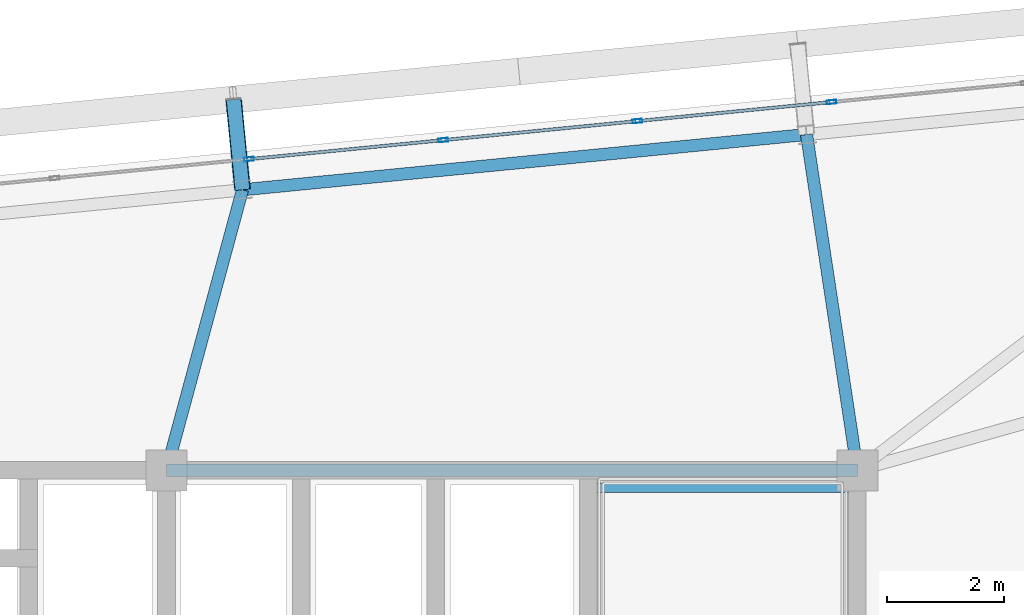
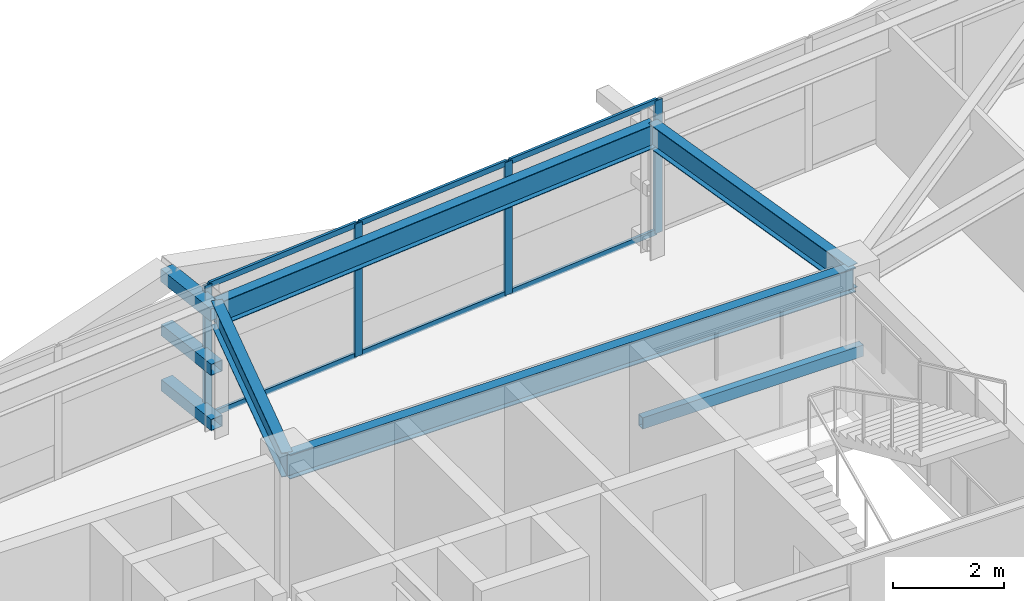
# One storey, part 31 of 53: 13 members, 5 beams, 1 element without a shape of its own.
"""IFC4 building model written with IfcOpenShell, lengths in metres."""

from ifc_helpers import new_model, si_unit, direction, frame, origin, origin_2d, place, context, subcontext, project, spatial, hollow_rectangle, i_section, extrude, source, transform, mapped, material, layer, layer_set, material_profile, profile_set, type_object, element, aggregate, save


model = new_model("IFC4")

# Units and contexts
model_context = context("Model", 3, precision=1e-05, world=origin(), true_north=direction((0.0, 1.0)))
body_context = subcontext(model_context, "Body", "Model", "MODEL_VIEW")
ifc_project = project(units=[si_unit("LENGTHUNIT", "METRE"), si_unit("AREAUNIT", "SQUARE_METRE"), si_unit("VOLUMEUNIT", "CUBIC_METRE"), si_unit("PLANEANGLEUNIT", "RADIAN"), si_unit("MASSUNIT", "GRAM", prefix="KILO")], contexts=[model_context])

# Site, building, storey
site_placement = place(None, origin())
site = spatial("IfcSite", under=ifc_project, at=site_placement, CompositionType="ELEMENT")
building_placement = place(site_placement, origin())
building = spatial("IfcBuilding", under=site, at=building_placement, Name="Taldren Reach Tower", CompositionType="ELEMENT")
storey_placement = place(building_placement, frame((0.0, 0.0, 68.25)))
storey = spatial("IfcBuildingStorey", under=building, at=storey_placement, Name="L20", CompositionType="ELEMENT", Elevation=68.25)

# Beam
ifc_material_1 = material(Name="Steel Gr 350 (350PLUS)", Category="steel")
ifc_material_profile_1 = material_profile(ifc_material_1, i_section(OverallWidth=0.208984375, OverallDepth=0.532958984375, WebThickness=0.01025390625, FlangeThickness=0.015625, at=origin_2d()), Name="530UB92.4")
ifc_profile_set_1 = profile_set([ifc_material_profile_1], Name="Steel Gr 350 (350PLUS)")
beam_type_1 = type_object("IfcBeamType", Name="BM-UB530A", PredefinedType="BEAM", material=ifc_profile_set_1)
shared_shape_1 = source(origin(), body_context, "Body", "SweptSolid", [
    extrude(i_section(OverallWidth=0.208984375, OverallDepth=0.532958984375, WebThickness=0.01025390625, FlangeThickness=0.015625, at=origin_2d()), origin(), (0.0, 0.0, 1.0), 11.800048828125),
])
beam_1_placement = place(storey_placement, frame((39.199951171875, 32.0, 2.66357421875), z_axis=(1.0, 0.0, 0.0), x_axis=(0.0, 1.0, 0.0)))
element("IfcBeam", 1, at=beam_1_placement, inside=storey, type_object=beam_type_1, Name="Core-spine girder L20-SP06", PredefinedType="BEAM", context=body_context, shape_type="MappedRepresentation", body=[
    mapped(shared_shape_1, transform((0.0, 0.0, 0.0), scale=1.0)),
])

# Members
ifc_material_2 = material(Name="Steel Gr 450 (C450L0)", Category="steel")
ifc_material_profile_2 = material_profile(ifc_material_2, hollow_rectangle(XDim=0.27490234375, YDim=0.27490234375, WallThickness=0.00927734375, at=origin_2d()), Name="275x275x9.3SHS")
ifc_profile_set_2 = profile_set([ifc_material_profile_2], Name="Steel Gr 450 (C450L0)")
member_type_1 = type_object("IfcMemberType", Name="MB-TIE273", PredefinedType="STRUT", material=ifc_profile_set_2)
shared_shape_2 = source(origin(), body_context, "Body", "SweptSolid", [
    extrude(hollow_rectangle(XDim=0.27490234375, YDim=0.27490234375, WallThickness=0.00927734375, at=origin_2d()), origin(), (0.0, 0.0, 1.0), 1.5498046875),
])
member_1_placement = place(storey_placement, frame((40.498291015625, 36.790771484375, 2.64990234375), z_axis=(-0.097663201064, 0.995219523099, 0.0), x_axis=(-0.995219523099, -0.097663201064, 0.0)))
element("IfcMember", 2, at=member_1_placement, inside=storey, type_object=member_type_1, Name="Exoskeleton diaphragm tie strut B2-N4 L20", PredefinedType="STRUT", context=body_context, shape_type="MappedRepresentation", body=[
    mapped(shared_shape_2, transform((0.0, 0.0, 0.0), scale=1.0)),
])
ifc_material_3 = material(Name="Steel Gr 350 (C350L0)", Category="steel")
ifc_material_profile_3 = material_profile(ifc_material_3, hollow_rectangle(XDim=0.25, YDim=0.25, WallThickness=0.010009765625, at=origin_2d()), Name="250x250x10.0SHS")
ifc_profile_set_3 = profile_set([ifc_material_profile_3], Name="Steel Gr 350 (C350L0)")
member_type_2 = type_object("IfcMemberType", Name="MB-POST250", PredefinedType="POST", material=ifc_profile_set_3)
shared_shape_3 = source(origin(), body_context, "Body", "SweptSolid", [
    extrude(hollow_rectangle(XDim=0.25, YDim=0.25, WallThickness=0.010009765625, at=origin_2d()), origin(), (0.0, 0.0, 1.0), 1.5498046875),
])
for number, where, z_axis, x_axis, name in (
    (3, (40.498291015625, 36.790771484375, 0.219970703125), (-0.097663201064, 0.995219523099, 0.0), (-0.995219523099, -0.097663201064, 0.0), "Exoskeleton base diaphragm tie strut B2-N4 L20"),
    (4, (40.498291015625, 36.790771484375, 1.43505859375), (-0.097663201064, 0.995219523099, 0.0), (-0.995219523099, -0.097663201064, 0.0), "Exoskeleton mid-tier diaphragm tie B2-N4 L20"),
):
    element("IfcMember", number, at=place(storey_placement, frame(where, z_axis=z_axis, x_axis=x_axis)), inside=storey, type_object=member_type_2, Name=name, PredefinedType="POST", context=body_context, shape_type="MappedRepresentation", body=[
        mapped(shared_shape_3, transform((0.0, 0.0, 0.0), scale=1.0)),
    ])

# Beams
ifc_material_profile_4 = material_profile(ifc_material_1, i_section(OverallWidth=0.208984375, OverallDepth=0.528076171875, WebThickness=0.009521484375, FlangeThickness=0.01318359375, at=origin_2d()), Name="530UB82.0")
ifc_profile_set_4 = profile_set([ifc_material_profile_4], Name="Steel Gr 350 (350PLUS)")
beam_type_2 = type_object("IfcBeamType", Name="SP-UB530B", PredefinedType="SPANDREL", material=ifc_profile_set_4)
shared_shape_4 = source(origin(), body_context, "Body", "SweptSolid", [
    extrude(i_section(OverallWidth=0.208984375, OverallDepth=0.528076171875, WebThickness=0.009521484375, FlangeThickness=0.01318359375, at=origin_2d()), origin(), (0.0, 0.0, 1.0), 9.679931640625),
])
beam_2_placement = place(storey_placement, frame((50.132080078125, 37.7353515625, 2.666015625), z_axis=(-0.995227612658, -0.097580730699, 0.0), x_axis=(0.097580730699, -0.995227612658, 0.0)))
element("IfcBeam", 5, at=beam_2_placement, inside=storey, type_object=beam_type_2, Name="Perimeter spandrel B2 N5-N4 L20", PredefinedType="SPANDREL", context=body_context, shape_type="MappedRepresentation", body=[
    mapped(shared_shape_4, transform((0.0, 0.0, 0.0), scale=1.0)),
])
shared_shape_5 = source(origin(), body_context, "Body", "SweptSolid", [
    extrude(i_section(OverallWidth=0.208984375, OverallDepth=0.532958984375, WebThickness=0.01025390625, FlangeThickness=0.015625, at=origin_2d()), origin(), (0.0, 0.0, 1.0), 5.800537109375),
])
beam_3_placement = place(storey_placement, frame((51.0, 32.0, 2.66357421875), z_axis=(-0.149624592867, 0.988742879221, 0.0), x_axis=(-0.988742879221, -0.149624592867, 0.0)))
element("IfcBeam", 6, at=beam_3_placement, inside=storey, type_object=beam_type_1, Name="Primary floor girder B2-N5 L20", PredefinedType="BEAM", context=body_context, shape_type="MappedRepresentation", body=[
    mapped(shared_shape_5, transform((0.0, 0.0, 0.0), scale=1.0)),
])
shared_shape_6 = source(origin(), body_context, "Body", "SweptSolid", [
    extrude(i_section(OverallWidth=0.208984375, OverallDepth=0.532958984375, WebThickness=0.01025390625, FlangeThickness=0.015625, at=origin_2d()), origin(), (0.0, 0.0, 1.0), 4.963623046875),
])
beam_4_placement = place(storey_placement, frame((39.199951171875, 32.0, 2.66357421875), z_axis=(0.261572995851, 0.965183696423, 0.0), x_axis=(-0.965183696423, 0.261572995851, 0.0)))
element("IfcBeam", 7, at=beam_4_placement, inside=storey, type_object=beam_type_1, Name="Primary floor girder B2-N4 L20", PredefinedType="BEAM", context=body_context, shape_type="MappedRepresentation", body=[
    mapped(shared_shape_6, transform((0.0, 0.0, 0.0), scale=1.0)),
])

# Curtain wall, members
ifc_material_4 = material(Name="Aluminium and Low-E Glass Unitised System", Category="aluminium")
ifc_layer = layer(ifc_material_4, 0.159912109375)
ifc_layer_set = layer_set([ifc_layer], Name="Aluminium and Low-E Glass Unitised System")
curtain_wall_type = type_object("IfcCurtainWallType", Name="CW-SYS-3", PredefinedType="NOTDEFINED", material=ifc_layer_set)
curtain_wall_placement = place(storey_placement, origin())
curtain_wall = element("IfcCurtainWall", 8, at=curtain_wall_placement, inside=storey, type_object=curtain_wall_type, Name="Unitised curtain wall CW-L20-N", PredefinedType="NOTDEFINED")
ifc_material_5 = material(Name="Anodised Aluminium 6063-T6", Category="aluminium")
ifc_material_profile_5 = material_profile(ifc_material_5, hollow_rectangle(XDim=0.06494140625, YDim=0.1650390625, WallThickness=0.00390625, at=origin_2d()), Name="ALU-165x65x4RHS")
ifc_profile_set_5 = profile_set([ifc_material_profile_5], Name="Anodised Aluminium 6063-T6")
member_type_3 = type_object("IfcMemberType", Name="CW-MUL-165", PredefinedType="MULLION", material=ifc_profile_set_5)
shared_shape_7 = source(origin(), body_context, "Body", "SweptSolid", [
    extrude(hollow_rectangle(XDim=0.06494140625, YDim=0.1650390625, WallThickness=0.00390625, at=origin_2d()), origin(), (0.0, 0.0, 1.0), 2.929931640625),
])
member_2_placement = place(storey_placement, frame((50.56005859375, 38.289794921875, 0.0), z_axis=(0.0, 0.0, 1.0), x_axis=(0.097582999046, -0.995227390247, 0.0)))
member_2 = element("IfcMember", 9, at=member_2_placement, type_object=member_type_3, Name="CW-3 mullion 4", PredefinedType="MULLION", context=body_context, shape_type="MappedRepresentation", body=[
    mapped(shared_shape_7, transform((0.0, 0.0, 0.0), scale=1.0)),
])
member_3_placement = place(storey_placement, frame((47.242431640625, 37.96435546875, 0.0), z_axis=(0.0, 0.0, 1.0), x_axis=(0.097582999046, -0.995227390247, 0.0)))
member_3 = element("IfcMember", 10, at=member_3_placement, type_object=member_type_3, Name="CW-3 mullion 5", PredefinedType="MULLION", context=body_context, shape_type="MappedRepresentation", body=[
    mapped(shared_shape_7, transform((0.0, 0.0, 0.0), scale=1.0)),
])
member_4_placement = place(storey_placement, frame((43.925048828125, 37.63916015625, 0.0), z_axis=(0.0, 0.0, 1.0), x_axis=(0.097582999046, -0.995227390247, 0.0)))
member_4 = element("IfcMember", 11, at=member_4_placement, type_object=member_type_3, Name="CW-3 mullion 6", PredefinedType="MULLION", context=body_context, shape_type="MappedRepresentation", body=[
    mapped(shared_shape_7, transform((0.0, 0.0, 0.0), scale=1.0)),
])
member_5_placement = place(storey_placement, frame((40.607666015625, 37.31396484375, 0.0), z_axis=(0.0, 0.0, 1.0), x_axis=(0.097582999046, -0.995227390247, 0.0)))
member_5 = element("IfcMember", 12, at=member_5_placement, type_object=member_type_3, Name="CW-3 mullion 7", PredefinedType="MULLION", context=body_context, shape_type="MappedRepresentation", body=[
    mapped(shared_shape_7, transform((0.0, 0.0, 0.0), scale=1.0)),
])
ifc_material_profile_6 = material_profile(ifc_material_5, hollow_rectangle(XDim=0.054931640625, YDim=0.1201171875, WallThickness=0.0029296875, at=origin_2d()), Name="ALU-120x55x3RHS")
ifc_profile_set_6 = profile_set([ifc_material_profile_6], Name="Anodised Aluminium 6063-T6")
member_type_4 = type_object("IfcMemberType", Name="CW-TRN-135", PredefinedType="USERDEFINED", material=ifc_profile_set_6)
shared_shape_8 = source(origin(), body_context, "Body", "SweptSolid", [
    extrude(hollow_rectangle(XDim=0.054931640625, YDim=0.1201171875, WallThickness=0.0029296875, at=origin_2d()), origin(), (0.0, 0.0, 1.0), 3.268310546875),
])
member_6_placement = place(storey_placement, frame((50.527587890625, 38.28662109375, 0.027587890625), z_axis=(-0.995222549564, -0.097632355496, 0.0), x_axis=(0.097632355496, -0.995222549564, 0.0)))
member_6 = element("IfcMember", 13, at=member_6_placement, type_object=member_type_4, Name="CW-3 transom 4.1", ObjectType="TRANSOM", PredefinedType="USERDEFINED", context=body_context, shape_type="MappedRepresentation", body=[
    mapped(shared_shape_8, transform((0.0, 0.0, 0.0), scale=1.0)),
])
member_7_placement = place(storey_placement, frame((50.527587890625, 38.28662109375, 2.902587890625), z_axis=(-0.995222549564, -0.097632355496, 0.0), x_axis=(0.097632355496, -0.995222549564, 0.0)))
member_7 = element("IfcMember", 14, at=member_7_placement, type_object=member_type_4, Name="CW-3 transom 4.2", ObjectType="TRANSOM", PredefinedType="USERDEFINED", context=body_context, shape_type="MappedRepresentation", body=[
    mapped(shared_shape_8, transform((0.0, 0.0, 0.0), scale=1.0)),
])
member_8_placement = place(storey_placement, frame((47.210205078125, 37.961181640625, 0.027587890625), z_axis=(-0.99522980512, -0.097558367146, 0.0), x_axis=(0.097558367146, -0.99522980512, 0.0)))
member_8 = element("IfcMember", 15, at=member_8_placement, type_object=member_type_4, Name="CW-3 transom 5.1", ObjectType="TRANSOM", PredefinedType="USERDEFINED", context=body_context, shape_type="MappedRepresentation", body=[
    mapped(shared_shape_8, transform((0.0, 0.0, 0.0), scale=1.0)),
])
member_9_placement = place(storey_placement, frame((47.210205078125, 37.961181640625, 2.902587890625), z_axis=(-0.99522980512, -0.097558367146, 0.0), x_axis=(0.097558367146, -0.99522980512, 0.0)))
member_9 = element("IfcMember", 16, at=member_9_placement, type_object=member_type_4, Name="CW-3 transom 5.2", ObjectType="TRANSOM", PredefinedType="USERDEFINED", context=body_context, shape_type="MappedRepresentation", body=[
    mapped(shared_shape_8, transform((0.0, 0.0, 0.0), scale=1.0)),
])
member_10_placement = place(storey_placement, frame((43.892822265625, 37.635986328125, 0.027587890625), z_axis=(-0.99522980512, -0.097558367146, 0.0), x_axis=(0.097558367146, -0.99522980512, 0.0)))
member_10 = element("IfcMember", 17, at=member_10_placement, type_object=member_type_4, Name="CW-3 transom 6.1", ObjectType="TRANSOM", PredefinedType="USERDEFINED", context=body_context, shape_type="MappedRepresentation", body=[
    mapped(shared_shape_8, transform((0.0, 0.0, 0.0), scale=1.0)),
])
member_11_placement = place(storey_placement, frame((43.892822265625, 37.635986328125, 2.902587890625), z_axis=(-0.99522980512, -0.097558367146, 0.0), x_axis=(0.097558367146, -0.99522980512, 0.0)))
member_11 = element("IfcMember", 18, at=member_11_placement, type_object=member_type_4, Name="CW-3 transom 6.2", ObjectType="TRANSOM", PredefinedType="USERDEFINED", context=body_context, shape_type="MappedRepresentation", body=[
    mapped(shared_shape_8, transform((0.0, 0.0, 0.0), scale=1.0)),
])
aggregate(curtain_wall, [member_2, member_3, member_4, member_5, member_6, member_7, member_8, member_9, member_10, member_11])

# Beam
ifc_material_profile_7 = material_profile(ifc_material_3, hollow_rectangle(XDim=0.14990234375, YDim=0.25, WallThickness=0.009033203125, at=origin_2d()), Name="250x150x9.0RHS")
ifc_profile_set_7 = profile_set([ifc_material_profile_7], Name="Steel Gr 350 (C350L0)")
beam_type_3 = type_object("IfcBeamType", Name="LN-RHS250", PredefinedType="LINTEL", material=ifc_profile_set_7)
shared_shape_9 = source(origin(), body_context, "Body", "SweptSolid", [
    extrude(hollow_rectangle(XDim=0.14990234375, YDim=0.25, WallThickness=0.009033203125, at=origin_2d()), origin(), (0.0, 0.0, 1.0), 4.60009765625),
])
beam_5_placement = place(storey_placement, frame((46.39990234375, 31.699951171875, 1.27001953125), z_axis=(1.0, 0.0, 0.0), x_axis=(0.0, 1.0, 0.0)))
element("IfcBeam", 19, at=beam_5_placement, inside=storey, type_object=beam_type_3, Name="Stair half-landing support beam ST2-L20-2", PredefinedType="LINTEL", context=body_context, shape_type="MappedRepresentation", body=[
    mapped(shared_shape_9, transform((0.0, 0.0, 0.0), scale=1.0)),
])

save(model, "model.ifc")
